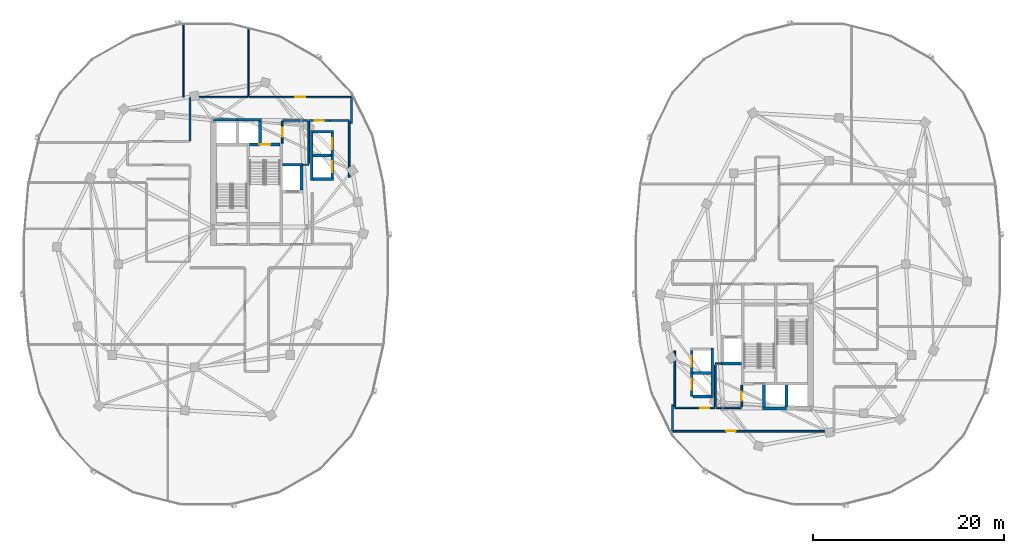
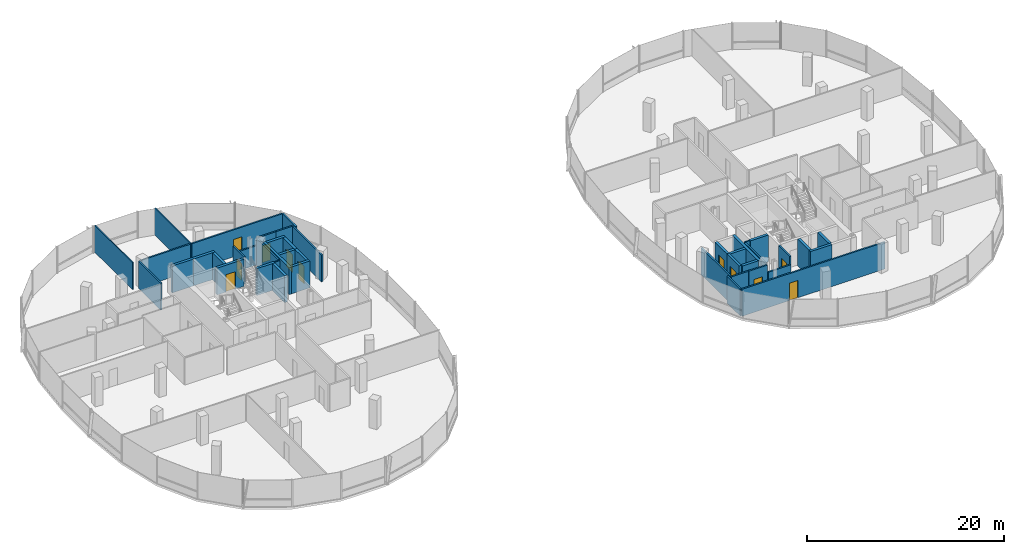
# One storey, part 16 of 25: 43 walls, 11 doors, 11 openings.
"""IFC4 building model written with IfcOpenShell, lengths in metres."""

from ifc_helpers import new_model, si_unit, direction, frame, frame_2d, origin, place, context, subcontext, project, spatial, rectangle, extrude, material, layer, layer_set, type_object, element, fill, save


model = new_model("IFC4")

# Units and contexts
model_context = context("Model", 3, precision=1e-05, world=origin(), true_north=direction((0.0, 1.0)))
body_context = subcontext(model_context, "Body", "Model", "MODEL_VIEW")
ifc_project = project(units=[si_unit("LENGTHUNIT", "METRE"), si_unit("AREAUNIT", "SQUARE_METRE"), si_unit("VOLUMEUNIT", "CUBIC_METRE"), si_unit("PLANEANGLEUNIT", "RADIAN"), si_unit("MASSUNIT", "GRAM", prefix="KILO"), si_unit("THERMODYNAMICTEMPERATUREUNIT", "KELVIN"), si_unit("POWERUNIT", "WATT")], contexts=[model_context])

# Site, building, storey
site_placement = place(None, origin())
site = spatial("IfcSite", under=ifc_project, at=site_placement, CompositionType="ELEMENT")
building_placement = place(site_placement, origin())
building = spatial("IfcBuilding", under=site, at=building_placement, Name="Cundina Bronze Exchange", CompositionType="ELEMENT")
storey_placement = place(building_placement, frame((0.0, 0.0, 209.800048828125)))
storey = spatial("IfcBuildingStorey", under=building, at=storey_placement, Name="L55", CompositionType="ELEMENT", Elevation=209.800048828125)

# Wall
ifc_material_1 = material(Name="Gypsum Fireboard Partition EI120")
ifc_layer_1 = layer(ifc_material_1, 0.179931640625, Name="Gypsum Fireboard Partition EI120")
ifc_layer_set_1 = layer_set([ifc_layer_1], Name="Gypsum Fireboard Partition EI120")
wall_type_1 = type_object("IfcWallType", Name="WL-COR-180", PredefinedType="PARTITIONING", material=ifc_layer_set_1)
wall_1_placement = place(storey_placement, frame((-17.02001953125, 9.070068359375, 0.0), z_axis=(0.0, 0.0, 1.0), x_axis=(0.0, 1.0, 0.0)))
element("IfcWall", 1, at=wall_1_placement, inside=storey, type_object=wall_type_1, Name="L55 Interior Partition 001", PredefinedType="PARTITIONING", context=body_context, shape_type="SweptSolid", body=[
    extrude(rectangle(XDim=5.85986328125, YDim=0.179931640625, at=frame_2d((2.929931640625, 0.0))), origin(), (0.0, 0.0, 1.0), 3.33984375),
])

# Wall, opening, door
wall_2_placement = place(storey_placement, frame((-21.22998046875, 15.030029296875, 0.0), z_axis=(0.0, 0.0, 1.0), x_axis=(1.0, 0.0, 0.0)))
wall_2 = element("IfcWall", 2, at=wall_2_placement, inside=storey, type_object=wall_type_1, Name="L55 Interior Partition 002", PredefinedType="PARTITIONING", context=body_context, shape_type="SweptSolid", body=[
    extrude(rectangle(XDim=2.159912109375, YDim=0.179931640625, at=frame_2d((1.080078125, 0.0))), origin(), (0.0, 0.0, 1.0), 3.33984375),
])
opening_1_placement = place(wall_2_placement, frame((0.60498046875, 0.0, 0.0)))
opening_1 = element("IfcOpeningElement", 3, at=opening_1_placement, cuts=wall_2, Name="Opening DW-01", PredefinedType="OPENING", context=body_context, shape_type="SweptSolid", body=[
    extrude(rectangle(XDim=0.949951171875, YDim=2.10009765625, at=frame_2d((0.47509765625, 1.050048828125))), frame((0.0, 0.099853515625, 0.0), z_axis=(0.0, -1.0, 0.0), x_axis=(1.0, 0.0, 0.0)), (0.0, 0.0, 1.0), 0.199951171875),
])
ifc_material_2 = material(Name="Solid Andean Oak Timber Grade A", Category="wood")
door_type_1 = type_object("IfcDoorType", Name="DR-WC-950", OperationType="NOTDEFINED", PredefinedType="DOOR", material=ifc_material_2)
door_1_placement = place(opening_1_placement, origin())
door_1 = element("IfcDoor", 4, at=door_1_placement, inside=storey, type_object=door_type_1, Name="L55 Interior Door 002", OperationType="SINGLE_SWING_LEFT", OverallHeight=2.10009765625, OverallWidth=0.949951171875, PredefinedType="DOOR", context=body_context, shape_type="SweptSolid", body=[
    extrude(rectangle(XDim=0.949951171875, YDim=2.10009765625, at=frame_2d((0.47509765625, 1.050048828125))), frame((0.0, 0.02490234375, 0.0), z_axis=(0.0, -1.0, 0.0), x_axis=(1.0, 0.0, 0.0)), (0.0, 0.0, 1.0), 0.050048828125),
])
fill(opening_1, door_1)

# Walls
wall_3_placement = place(storey_placement, frame((-19.030029296875, 15.030029296875, 0.0), z_axis=(0.0, 0.0, 1.0), x_axis=(1.0, 0.0, 0.0)))
element("IfcWall", 5, at=wall_3_placement, inside=storey, type_object=wall_type_1, Name="L55 Interior Partition 003", PredefinedType="PARTITIONING", context=body_context, shape_type="SweptSolid", body=[
    extrude(rectangle(XDim=1.989990234375, YDim=0.179931640625, at=frame_2d((0.9951171875, 0.0))), origin(), (0.0, 0.0, 1.0), 3.33984375),
])
wall_4_placement = place(storey_placement, frame((-21.25, 10.570068359375, 0.0), z_axis=(0.0, 0.0, 1.0), x_axis=(0.0, 1.0, 0.0)))
element("IfcWall", 6, at=wall_4_placement, inside=storey, type_object=wall_type_1, Name="L55 Interior Partition 005", PredefinedType="PARTITIONING", context=body_context, shape_type="SweptSolid", body=[
    extrude(rectangle(XDim=4.35986328125, YDim=0.179931640625, at=frame_2d((2.179931640625, 0.0))), origin(), (0.0, 0.0, 1.0), 3.33984375),
])
wall_5_placement = place(storey_placement, frame((-23.9599609375, 15.030029296875, 0.0), z_axis=(0.0, 0.0, 1.0), x_axis=(1.0, 0.0, 0.0)))
element("IfcWall", 7, at=wall_5_placement, inside=storey, type_object=wall_type_1, Name="L55 Interior Partition 006", PredefinedType="PARTITIONING", context=body_context, shape_type="SweptSolid", body=[
    extrude(rectangle(XDim=2.60986328125, YDim=0.179931640625, at=frame_2d((1.304931640625, 0.0))), origin(), (0.0, 0.0, 1.0), 2.412841796875),
])

# Wall, opening, door
wall_6_placement = place(storey_placement, frame((-24.02001953125, 12.669921875, 0.0), z_axis=(0.0, 0.0, 1.0), x_axis=(0.0, 1.0, 0.0)))
wall_6 = element("IfcWall", 8, at=wall_6_placement, inside=storey, type_object=wall_type_1, Name="L55 Interior Partition 008", PredefinedType="PARTITIONING", context=body_context, shape_type="SweptSolid", body=[
    extrude(rectangle(XDim=2.260009765625, YDim=0.179931640625, at=frame_2d((1.1298828125, 0.0))), origin(), (0.0, 0.0, 1.0), 3.33984375),
])
opening_2_placement = place(wall_6_placement, frame((0.655029296875, 0.0, 0.0)))
opening_2 = element("IfcOpeningElement", 9, at=opening_2_placement, cuts=wall_6, Name="Opening DW-01", PredefinedType="OPENING", context=body_context, shape_type="SweptSolid", body=[
    extrude(rectangle(XDim=0.949951171875, YDim=2.10009765625, at=frame_2d((0.47509765625, 1.050048828125))), frame((0.0, 0.099853515625, 0.0), z_axis=(0.0, -1.0, 0.0), x_axis=(1.0, 0.0, 0.0)), (0.0, 0.0, 1.0), 0.199951171875),
])
door_2_placement = place(opening_2_placement, origin())
door_2 = element("IfcDoor", 10, at=door_2_placement, inside=storey, type_object=door_type_1, Name="L55 Interior Door 008", OperationType="SINGLE_SWING_LEFT", OverallHeight=2.10009765625, OverallWidth=0.949951171875, PredefinedType="DOOR", context=body_context, shape_type="SweptSolid", body=[
    extrude(rectangle(XDim=0.949951171875, YDim=2.10009765625, at=frame_2d((0.47509765625, 1.050048828125))), frame((0.0, 0.02490234375, 0.0), z_axis=(0.0, -1.0, 0.0), x_axis=(1.0, 0.0, 0.0)), (0.0, 0.0, 1.0), 0.050048828125),
])
fill(opening_2, door_2)

wall_7_placement = place(storey_placement, frame((-16.821533203125, 17.469970703125, 0.0), z_axis=(0.0, 0.0, 1.0), x_axis=(-1.0, 0.0, 0.0)))
wall_7 = element("IfcWall", 11, at=wall_7_placement, inside=storey, type_object=wall_type_1, Name="L55 Interior Partition 029", PredefinedType="PARTITIONING", context=body_context, shape_type="SweptSolid", body=[
    extrude(rectangle(XDim=10.6484375, YDim=0.179931640625, at=frame_2d((5.32421875, 0.0))), origin(), (0.0, 0.0, 1.0), 3.33984375),
])
opening_3_placement = place(wall_7_placement, frame((4.82421875, 0.0, 0.0)))
opening_3 = element("IfcOpeningElement", 12, at=opening_3_placement, cuts=wall_7, Name="Opening DO-01", PredefinedType="OPENING", context=body_context, shape_type="SweptSolid", body=[
    extrude(rectangle(XDim=1.0, YDim=2.14990234375, at=frame_2d((0.5, 1.074951171875))), frame((0.0, 0.099853515625, 0.0), z_axis=(0.0, -1.0, 0.0), x_axis=(1.0, 0.0, 0.0)), (0.0, 0.0, 1.0), 0.199951171875),
])
door_type_2 = type_object("IfcDoorType", Name="DR-OFF-1000", OperationType="NOTDEFINED", PredefinedType="DOOR", material=ifc_material_2)
door_3_placement = place(opening_3_placement, origin())
door_3 = element("IfcDoor", 13, at=door_3_placement, inside=storey, type_object=door_type_2, Name="L55 Interior Door 029", OperationType="SINGLE_SWING_LEFT", OverallHeight=2.14990234375, OverallWidth=1.0, PredefinedType="DOOR", context=body_context, shape_type="SweptSolid", body=[
    extrude(rectangle(XDim=1.0, YDim=2.14990234375, at=frame_2d((0.5, 1.074951171875))), frame((0.0, 0.02490234375, 0.0), z_axis=(0.0, -1.0, 0.0), x_axis=(1.0, 0.0, 0.0)), (0.0, 0.0, 1.0), 0.050048828125),
])
fill(opening_3, door_3)

# Walls
wall_8_placement = place(storey_placement, frame((-16.780029296875, 14.721435546875, 0.0), z_axis=(0.0, 0.0, 1.0), x_axis=(0.0, 1.0, 0.0)))
element("IfcWall", 14, at=wall_8_placement, inside=storey, type_object=wall_type_1, Name="L55 Interior Partition 033", PredefinedType="PARTITIONING", context=body_context, shape_type="SweptSolid", body=[
    extrude(rectangle(XDim=2.70703125, YDim=0.179931640625, at=frame_2d((1.353515625, 0.0))), origin(), (0.0, 0.0, 1.0), 3.33984375),
])
wall_9_placement = place(storey_placement, frame((-27.64990234375, 17.469970703125, 0.0), z_axis=(0.0, 0.0, 1.0), x_axis=(-1.0, 0.0, 0.0)))
element("IfcWall", 15, at=wall_9_placement, inside=storey, type_object=wall_type_1, Name="L55 Interior Partition 039", PredefinedType="PARTITIONING", context=body_context, shape_type="SweptSolid", body=[
    extrude(rectangle(XDim=5.978515625, YDim=0.179931640625, at=frame_2d((2.9892578125, 0.0))), origin(), (0.0, 0.0, 1.0), 3.33984375),
])
wall_10_placement = place(storey_placement, frame((-33.669921875, 17.428466796875, 0.0), z_axis=(0.0, 0.0, 1.0), x_axis=(0.0, -1.0, 0.0)))
element("IfcWall", 16, at=wall_10_placement, inside=storey, type_object=wall_type_1, Name="L55 Interior Partition 040", PredefinedType="PARTITIONING", context=body_context, shape_type="SweptSolid", body=[
    extrude(rectangle(XDim=4.528564453125, YDim=0.179931640625, at=frame_2d((2.26416015625, 0.0))), origin(), (0.0, 0.0, 1.0), 3.33984375),
])
wall_11_placement = place(storey_placement, frame((17.02001953125, -14.929931640625, 0.0), z_axis=(0.0, 0.0, 1.0), x_axis=(0.0, 1.0, 0.0)))
element("IfcWall", 17, at=wall_11_placement, inside=storey, type_object=wall_type_1, Name="L55 Interior Partition 043", PredefinedType="PARTITIONING", context=body_context, shape_type="SweptSolid", body=[
    extrude(rectangle(XDim=5.85986328125, YDim=0.179931640625, at=frame_2d((2.929931640625, 0.0))), origin(), (0.0, 0.0, 1.0), 3.33984375),
])
wall_12_placement = place(storey_placement, frame((17.0400390625, -15.030029296875, 0.0), z_axis=(0.0, 0.0, 1.0), x_axis=(1.0, 0.0, 0.0)))
element("IfcWall", 18, at=wall_12_placement, inside=storey, type_object=wall_type_1, Name="L55 Interior Partition 044", PredefinedType="PARTITIONING", context=body_context, shape_type="SweptSolid", body=[
    extrude(rectangle(XDim=1.989990234375, YDim=0.179931640625, at=frame_2d((0.9951171875, 0.0))), origin(), (0.0, 0.0, 1.0), 3.33984375),
])

# Wall, opening, door
wall_13_placement = place(storey_placement, frame((21.22998046875, -15.030029296875, 0.0), z_axis=(0.0, 0.0, 1.0), x_axis=(-1.0, 0.0, 0.0)))
wall_13 = element("IfcWall", 19, at=wall_13_placement, inside=storey, type_object=wall_type_1, Name="L55 Interior Partition 045", PredefinedType="PARTITIONING", context=body_context, shape_type="SweptSolid", body=[
    extrude(rectangle(XDim=2.159912109375, YDim=0.179931640625, at=frame_2d((1.080078125, 0.0))), origin(), (0.0, 0.0, 1.0), 3.33984375),
])
opening_4_placement = place(wall_13_placement, frame((0.60498046875, 0.0, 0.0)))
opening_4 = element("IfcOpeningElement", 20, at=opening_4_placement, cuts=wall_13, Name="Opening DW-01", PredefinedType="OPENING", context=body_context, shape_type="SweptSolid", body=[
    extrude(rectangle(XDim=0.949951171875, YDim=2.10009765625, at=frame_2d((0.47509765625, 1.050048828125))), frame((0.0, 0.099853515625, 0.0), z_axis=(0.0, -1.0, 0.0), x_axis=(1.0, 0.0, 0.0)), (0.0, 0.0, 1.0), 0.199951171875),
])
door_4_placement = place(opening_4_placement, origin())
door_4 = element("IfcDoor", 21, at=door_4_placement, inside=storey, type_object=door_type_1, Name="L55 Interior Door 045", OperationType="SINGLE_SWING_RIGHT", OverallHeight=2.10009765625, OverallWidth=0.949951171875, PredefinedType="DOOR", context=body_context, shape_type="SweptSolid", body=[
    extrude(rectangle(XDim=0.949951171875, YDim=2.10009765625, at=frame_2d((0.47509765625, 1.050048828125))), frame((0.0, 0.02490234375, 0.0), z_axis=(0.0, -1.0, 0.0), x_axis=(1.0, 0.0, 0.0)), (0.0, 0.0, 1.0), 0.050048828125),
])
fill(opening_4, door_4)

# Walls
wall_14_placement = place(storey_placement, frame((21.25, -14.929931640625, 0.0), z_axis=(0.0, 0.0, 1.0), x_axis=(0.0, 1.0, 0.0)))
element("IfcWall", 22, at=wall_14_placement, inside=storey, type_object=wall_type_1, Name="L55 Interior Partition 047", PredefinedType="PARTITIONING", context=body_context, shape_type="SweptSolid", body=[
    extrude(rectangle(XDim=4.35986328125, YDim=0.179931640625, at=frame_2d((2.179931640625, 0.0))), origin(), (0.0, 0.0, 1.0), 3.33984375),
])
wall_15_placement = place(storey_placement, frame((21.35009765625, -15.030029296875, 0.0), z_axis=(0.0, 0.0, 1.0), x_axis=(1.0, 0.0, 0.0)))
element("IfcWall", 23, at=wall_15_placement, inside=storey, type_object=wall_type_1, Name="L55 Interior Partition 048", PredefinedType="PARTITIONING", context=body_context, shape_type="SweptSolid", body=[
    extrude(rectangle(XDim=2.60986328125, YDim=0.179931640625, at=frame_2d((1.304931640625, 0.0))), origin(), (0.0, 0.0, 1.0), 2.412841796875),
])

# Wall, opening, door
wall_16_placement = place(storey_placement, frame((24.02001953125, -14.929931640625, 0.0), z_axis=(0.0, 0.0, 1.0), x_axis=(0.0, 1.0, 0.0)))
wall_16 = element("IfcWall", 24, at=wall_16_placement, inside=storey, type_object=wall_type_1, Name="L55 Interior Partition 050", PredefinedType="PARTITIONING", context=body_context, shape_type="SweptSolid", body=[
    extrude(rectangle(XDim=2.260009765625, YDim=0.179931640625, at=frame_2d((1.1298828125, 0.0))), origin(), (0.0, 0.0, 1.0), 3.33984375),
])
opening_5_placement = place(wall_16_placement, frame((0.655029296875, 0.0, 0.0)))
opening_5 = element("IfcOpeningElement", 25, at=opening_5_placement, cuts=wall_16, Name="Opening DW-01", PredefinedType="OPENING", context=body_context, shape_type="SweptSolid", body=[
    extrude(rectangle(XDim=0.949951171875, YDim=2.10009765625, at=frame_2d((0.47509765625, 1.050048828125))), frame((0.0, 0.099853515625, 0.0), z_axis=(0.0, -1.0, 0.0), x_axis=(1.0, 0.0, 0.0)), (0.0, 0.0, 1.0), 0.199951171875),
])
door_5_placement = place(opening_5_placement, origin())
door_5 = element("IfcDoor", 26, at=door_5_placement, inside=storey, type_object=door_type_1, Name="L55 Interior Door 050", OperationType="SINGLE_SWING_RIGHT", OverallHeight=2.10009765625, OverallWidth=0.949951171875, PredefinedType="DOOR", context=body_context, shape_type="SweptSolid", body=[
    extrude(rectangle(XDim=0.949951171875, YDim=2.10009765625, at=frame_2d((0.47509765625, 1.050048828125))), frame((0.0, 0.02490234375, 0.0), z_axis=(0.0, -1.0, 0.0), x_axis=(1.0, 0.0, 0.0)), (0.0, 0.0, 1.0), 0.050048828125),
])
fill(opening_5, door_5)

wall_17_placement = place(storey_placement, frame((16.821533203125, -17.469970703125, 0.0), z_axis=(0.0, 0.0, 1.0), x_axis=(1.0, 0.0, 0.0)))
wall_17 = element("IfcWall", 27, at=wall_17_placement, inside=storey, type_object=wall_type_1, Name="L55 Interior Partition 064", PredefinedType="PARTITIONING", context=body_context, shape_type="SweptSolid", body=[
    extrude(rectangle(XDim=16.806884765625, YDim=0.179931640625, at=frame_2d((8.4033203125, 0.0))), origin(), (0.0, 0.0, 1.0), 3.33984375),
])
opening_6_placement = place(wall_17_placement, frame((5.568603515625, 0.0, 0.0)))
opening_6 = element("IfcOpeningElement", 28, at=opening_6_placement, cuts=wall_17, Name="Opening DO-01", PredefinedType="OPENING", context=body_context, shape_type="SweptSolid", body=[
    extrude(rectangle(XDim=1.0, YDim=2.14990234375, at=frame_2d((0.5, 1.074951171875))), frame((0.0, 0.099853515625, 0.0), z_axis=(0.0, -1.0, 0.0), x_axis=(1.0, 0.0, 0.0)), (0.0, 0.0, 1.0), 0.199951171875),
])
door_6_placement = place(opening_6_placement, origin())
door_6 = element("IfcDoor", 29, at=door_6_placement, inside=storey, type_object=door_type_2, Name="L55 Interior Door 064", OperationType="SINGLE_SWING_LEFT", OverallHeight=2.14990234375, OverallWidth=1.0, PredefinedType="DOOR", context=body_context, shape_type="SweptSolid", body=[
    extrude(rectangle(XDim=1.0, YDim=2.14990234375, at=frame_2d((0.5, 1.074951171875))), frame((0.0, 0.02490234375, 0.0), z_axis=(0.0, -1.0, 0.0), x_axis=(1.0, 0.0, 0.0)), (0.0, 0.0, 1.0), 0.050048828125),
])
fill(opening_6, door_6)

# Walls
wall_18_placement = place(storey_placement, frame((16.780029296875, -14.721435546875, 0.0), z_axis=(0.0, 0.0, 1.0), x_axis=(0.0, -1.0, 0.0)))
element("IfcWall", 30, at=wall_18_placement, inside=storey, type_object=wall_type_1, Name="L55 Interior Partition 070", PredefinedType="PARTITIONING", context=body_context, shape_type="SweptSolid", body=[
    extrude(rectangle(XDim=2.70703125, YDim=0.179931640625, at=frame_2d((1.353515625, 0.0))), origin(), (0.0, 0.0, 1.0), 3.33984375),
])
ifc_material_3 = material(Name="Gypsum Acoustic Partition EI60")
ifc_layer_2 = layer(ifc_material_3, 0.125, Name="Gypsum Acoustic Partition EI60")
ifc_layer_set_2 = layer_set([ifc_layer_2], Name="Gypsum Acoustic Partition EI60")
wall_type_2 = type_object("IfcWallType", Name="WL-OFF-125", PredefinedType="PARTITIONING", material=ifc_layer_set_2)
wall_19_placement = place(storey_placement, frame((-34.360107421875, 17.469970703125, 0.0), z_axis=(0.0, 0.0, 1.0), x_axis=(0.0, 1.0, 0.0)))
element("IfcWall", 31, at=wall_19_placement, inside=storey, type_object=wall_type_2, Name="L55 Interior Partition 022", PredefinedType="PARTITIONING", context=body_context, shape_type="SweptSolid", body=[
    extrude(rectangle(XDim=7.719970703125, YDim=0.125, at=frame_2d((3.85986328125, 0.0))), origin(), (0.0, 0.0, 1.0), 3.33984375),
])
wall_20_placement = place(storey_placement, frame((-27.56005859375, 17.5, 0.0), z_axis=(0.0, 0.0, 1.0), x_axis=(0.0, 1.0, 0.0)))
element("IfcWall", 32, at=wall_20_placement, inside=storey, type_object=wall_type_2, Name="L55 Interior Partition 023", PredefinedType="PARTITIONING", context=body_context, shape_type="SweptSolid", body=[
    extrude(rectangle(XDim=7.233154296875, YDim=0.125, at=frame_2d((3.61669921875, 0.0))), origin(), (0.0, 0.0, 1.0), 3.33984375),
])

# Wall, opening, door
ifc_material_4 = material(Name="Concrete C50/60", Category="concrete")
ifc_layer_3 = layer(ifc_material_4, 0.300048828125, Name="Concrete C50/60", Category="concrete")
ifc_layer_set_3 = layer_set([ifc_layer_3], Name="Concrete C50/60")
wall_type_3 = type_object("IfcWallType", Name="WL-SHFT-300", PredefinedType="SHEAR", material=ifc_layer_set_3)
wall_21_placement = place(storey_placement, frame((-27.43994140625, 12.5, 0.0), z_axis=(0.0, 0.0, 1.0), x_axis=(1.0, 0.0, 0.0)))
wall_21 = element("IfcWall", 33, at=wall_21_placement, inside=storey, type_object=wall_type_3, Name="L55 Stair W2 Landing Wall", PredefinedType="SHEAR", context=body_context, shape_type="SweptSolid", body=[
    extrude(rectangle(XDim=3.159912109375, YDim=0.300048828125, at=frame_2d((1.580078125, 0.0))), origin(), (0.0, 0.0, 1.0), 3.33984375),
])
opening_7_placement = place(wall_21_placement, frame((1.030029296875, 0.0, 0.0)))
opening_7 = element("IfcOpeningElement", 34, at=opening_7_placement, cuts=wall_21, Name="Opening DS-01", PredefinedType="OPENING", context=body_context, shape_type="SweptSolid", body=[
    extrude(rectangle(XDim=1.10009765625, YDim=2.14990234375, at=frame_2d((0.550048828125, 1.074951171875))), frame((0.0, 0.159912109375, 0.0), z_axis=(0.0, -1.0, 0.0), x_axis=(1.0, 0.0, 0.0)), (0.0, 0.0, 1.0), 0.320068359375),
])
ifc_material_5 = material(Name="Steel ASTM A36 Painted", Category="steel")
door_type_3 = type_object("IfcDoorType", Name="DR-STR-1100", OperationType="NOTDEFINED", PredefinedType="DOOR", material=ifc_material_5)
door_7_placement = place(opening_7_placement, origin())
door_7 = element("IfcDoor", 35, at=door_7_placement, inside=storey, type_object=door_type_3, Name="L55 Smokeproof Stair W2 Door", OperationType="SINGLE_SWING_LEFT", OverallHeight=2.14990234375, OverallWidth=1.10009765625, PredefinedType="DOOR", context=body_context, shape_type="SweptSolid", body=[
    extrude(rectangle(XDim=1.10009765625, YDim=2.14990234375, at=frame_2d((0.550048828125, 1.074951171875))), frame((0.0, 0.02490234375, 0.0), z_axis=(0.0, -1.0, 0.0), x_axis=(1.0, 0.0, 0.0)), (0.0, 0.0, 1.0), 0.050048828125),
])
fill(opening_7, door_7)

# Walls
wall_22_placement = place(storey_placement, frame((-23.97998046875, 10.39990234375, 0.0), z_axis=(0.0, 0.0, 1.0), x_axis=(1.0, 0.0, 0.0)))
element("IfcWall", 36, at=wall_22_placement, inside=storey, type_object=wall_type_3, Name="L55 FFL-W Hoistway Back Wall", PredefinedType="SHEAR", context=body_context, shape_type="SweptSolid", body=[
    extrude(rectangle(XDim=2.10009765625, YDim=0.300048828125, at=frame_2d((1.050048828125, 0.0))), origin(), (0.0, 0.0, 1.0), 3.33984375),
])
for number, where, z_axis, x_axis, name in (
    (37, (-22.030029296875, 7.75, 0.0), (0.0, 0.0, 1.0), (0.0, 1.0, 0.0), "L55 FFL-W Hoistway Side Wall"),
    (38, (-31.199951171875, 15.10009765625, 0.0), (0.0, 0.0, 1.0), (1.0, 0.0, 0.0), "L55 PH-W1 Hoistway Front Wall"),
    (39, (-28.699951171875, 15.10009765625, 0.0), (0.0, 0.0, 1.0), (1.0, 0.0, 0.0), "L55 PH-W2 Hoistway Front Wall"),
):
    element("IfcWall", number, at=place(storey_placement, frame(where, z_axis=z_axis, x_axis=x_axis)), inside=storey, type_object=wall_type_3, Name=name, PredefinedType="SHEAR", context=body_context, shape_type="SweptSolid", body=[
        extrude(rectangle(XDim=2.5, YDim=0.300048828125, at=frame_2d((1.25, 0.0))), origin(), (0.0, 0.0, 1.0), 3.33984375),
    ])
wall_23_placement = place(storey_placement, frame((-26.35009765625, 12.64990234375, 0.0), z_axis=(0.0, 0.0, 1.0), x_axis=(0.0, 1.0, 0.0)))
element("IfcWall", 40, at=wall_23_placement, inside=storey, type_object=wall_type_3, Name="L55 PH-W2 Hoistway Divider Wall", PredefinedType="SHEAR", context=body_context, shape_type="SweptSolid", body=[
    extrude(rectangle(XDim=2.300048828125, YDim=0.300048828125, at=frame_2d((1.14990234375, 0.0))), origin(), (0.0, 0.0, 1.0), 3.33984375),
])
wall_24_placement = place(storey_placement, frame((-20.949951171875, 8.75, 0.0), z_axis=(0.0, 0.0, 1.0), x_axis=(0.0, 1.0, 0.0)))
element("IfcWall", 41, at=wall_24_placement, inside=storey, type_object=wall_type_3, Name="L55 W Passenger Bank Hoistway Back Wall", PredefinedType="SHEAR", context=body_context, shape_type="SweptSolid", body=[
    extrude(rectangle(XDim=5.25, YDim=0.300048828125, at=frame_2d((2.625, 0.0))), origin(), (0.0, 0.0, 1.0), 3.33984375),
])
for number, where, z_axis, x_axis, name in (
    (42, (-20.800048828125, 8.89990234375, 0.0), (0.0, 0.0, 1.0), (1.0, 0.0, 0.0), "L55 W Passenger Bank South Cap Wall"),
    (43, (-20.800048828125, 13.85009765625, 0.0), (0.0, 0.0, 1.0), (1.0, 0.0, 0.0), "L55 W Passenger Bank North Cap Wall"),
):
    element("IfcWall", number, at=place(storey_placement, frame(where, z_axis=z_axis, x_axis=x_axis)), inside=storey, type_object=wall_type_3, Name=name, PredefinedType="SHEAR", context=body_context, shape_type="SweptSolid", body=[
        extrude(rectangle(XDim=2.150146484375, YDim=0.300048828125, at=frame_2d((1.0751953125, 0.0))), origin(), (0.0, 0.0, 1.0), 3.33984375),
    ])
wall_25_placement = place(storey_placement, frame((-20.800048828125, 11.375, 0.0), z_axis=(0.0, 0.0, 1.0), x_axis=(1.0, 0.0, 0.0)))
element("IfcWall", 44, at=wall_25_placement, inside=storey, type_object=wall_type_3, Name="L55 W Passenger Hoistway Divider 1", PredefinedType="SHEAR", context=body_context, shape_type="SweptSolid", body=[
    extrude(rectangle(XDim=1.85009765625, YDim=0.300048828125, at=frame_2d((0.925048828125, 0.0))), origin(), (0.0, 0.0, 1.0), 3.33984375),
])

# Wall, opening, door
wall_26_placement = place(storey_placement, frame((-18.800048828125, 8.929931640625, 0.0), z_axis=(0.0, 0.0, 1.0), x_axis=(0.0, 1.0, 0.0)))
wall_26 = element("IfcWall", 45, at=wall_26_placement, inside=storey, type_object=wall_type_3, Name="L55 PM-W2 Hoistway Front Wall", PredefinedType="SHEAR", context=body_context, shape_type="SweptSolid", body=[
    extrude(rectangle(XDim=2.489990234375, YDim=0.300048828125, at=frame_2d((1.2451171875, 0.0))), origin(), (0.0, 0.0, 1.0), 3.33984375),
])
opening_8_placement = place(wall_26_placement, frame((0.669921875, 0.0, 0.0)))
opening_8 = element("IfcOpeningElement", 46, at=opening_8_placement, cuts=wall_26, Name="Opening LD-01", PredefinedType="OPENING", context=body_context, shape_type="SweptSolid", body=[
    extrude(rectangle(XDim=1.14990234375, YDim=2.199951171875, at=frame_2d((0.574951171875, 1.10009765625))), frame((0.0, 0.159912109375, 0.0), z_axis=(0.0, -1.0, 0.0), x_axis=(1.0, 0.0, 0.0)), (0.0, 0.0, 1.0), 0.320068359375),
])
door_type_4 = type_object("IfcDoorType", Name="DR-LND-1150", OperationType="NOTDEFINED", PredefinedType="TRAPDOOR", material=ifc_material_5)
door_8_placement = place(opening_8_placement, origin())
door_8 = element("IfcDoor", 47, at=door_8_placement, inside=storey, type_object=door_type_4, Name="L55 PM-W2 Sliding Landing Door", OperationType="SLIDING_TO_LEFT", OverallHeight=2.199951171875, OverallWidth=1.14990234375, PredefinedType="TRAPDOOR", context=body_context, shape_type="SweptSolid", body=[
    extrude(rectangle(XDim=1.14990234375, YDim=2.199951171875, at=frame_2d((0.574951171875, 1.10009765625))), frame((0.0, 0.02490234375, 0.0), z_axis=(0.0, -1.0, 0.0), x_axis=(1.0, 0.0, 0.0)), (0.0, 0.0, 1.0), 0.050048828125),
])
fill(opening_8, door_8)

wall_27_placement = place(storey_placement, frame((-18.800048828125, 11.330078125, 0.0), z_axis=(0.0, 0.0, 1.0), x_axis=(0.0, 1.0, 0.0)))
wall_27 = element("IfcWall", 48, at=wall_27_placement, inside=storey, type_object=wall_type_3, Name="L55 PM-W1 Hoistway Front Wall", PredefinedType="SHEAR", context=body_context, shape_type="SweptSolid", body=[
    extrude(rectangle(XDim=2.489990234375, YDim=0.300048828125, at=frame_2d((1.2451171875, 0.0))), origin(), (0.0, 0.0, 1.0), 3.33984375),
])
opening_9_placement = place(wall_27_placement, frame((0.669921875, 0.0, 0.0)))
opening_9 = element("IfcOpeningElement", 49, at=opening_9_placement, cuts=wall_27, Name="Opening LD-01", PredefinedType="OPENING", context=body_context, shape_type="SweptSolid", body=[
    extrude(rectangle(XDim=1.14990234375, YDim=2.199951171875, at=frame_2d((0.574951171875, 1.10009765625))), frame((0.0, 0.159912109375, 0.0), z_axis=(0.0, -1.0, 0.0), x_axis=(1.0, 0.0, 0.0)), (0.0, 0.0, 1.0), 0.320068359375),
])
door_9_placement = place(opening_9_placement, origin())
door_9 = element("IfcDoor", 50, at=door_9_placement, inside=storey, type_object=door_type_4, Name="L55 PM-W1 Sliding Landing Door", OperationType="SLIDING_TO_LEFT", OverallHeight=2.199951171875, OverallWidth=1.14990234375, PredefinedType="TRAPDOOR", context=body_context, shape_type="SweptSolid", body=[
    extrude(rectangle(XDim=1.14990234375, YDim=2.199951171875, at=frame_2d((0.574951171875, 1.10009765625))), frame((0.0, 0.02490234375, 0.0), z_axis=(0.0, -1.0, 0.0), x_axis=(1.0, 0.0, 0.0)), (0.0, 0.0, 1.0), 0.050048828125),
])
fill(opening_9, door_9)

# Walls
wall_28_placement = place(storey_placement, frame((21.8798828125, -10.39990234375, 0.0), z_axis=(0.0, 0.0, 1.0), x_axis=(1.0, 0.0, 0.0)))
element("IfcWall", 51, at=wall_28_placement, inside=storey, type_object=wall_type_3, Name="L55 FFL-E Hoistway Back Wall", PredefinedType="SHEAR", context=body_context, shape_type="SweptSolid", body=[
    extrude(rectangle(XDim=2.10009765625, YDim=0.300048828125, at=frame_2d((1.050048828125, 0.0))), origin(), (0.0, 0.0, 1.0), 3.33984375),
])
wall_29_placement = place(storey_placement, frame((28.699951171875, -14.949951171875, 0.0), z_axis=(0.0, 0.0, 1.0), x_axis=(0.0, 1.0, 0.0)))
element("IfcWall", 52, at=wall_29_placement, inside=storey, type_object=wall_type_3, Name="L55 PH-E1 Hoistway Divider Wall", PredefinedType="SHEAR", context=body_context, shape_type="SweptSolid", body=[
    extrude(rectangle(XDim=2.300048828125, YDim=0.300048828125, at=frame_2d((1.14990234375, 0.0))), origin(), (0.0, 0.0, 1.0), 3.33984375),
])
wall_30_placement = place(storey_placement, frame((26.199951171875, -15.10009765625, 0.0), z_axis=(0.0, 0.0, 1.0), x_axis=(1.0, 0.0, 0.0)))
element("IfcWall", 53, at=wall_30_placement, inside=storey, type_object=wall_type_3, Name="L55 PH-E2 Hoistway Front Wall", PredefinedType="SHEAR", context=body_context, shape_type="SweptSolid", body=[
    extrude(rectangle(XDim=2.5, YDim=0.300048828125, at=frame_2d((1.25, 0.0))), origin(), (0.0, 0.0, 1.0), 3.33984375),
])
wall_31_placement = place(storey_placement, frame((26.35009765625, -14.949951171875, 0.0), z_axis=(0.0, 0.0, 1.0), x_axis=(0.0, 1.0, 0.0)))
element("IfcWall", 54, at=wall_31_placement, inside=storey, type_object=wall_type_3, Name="L55 PH-E2 Hoistway Divider Wall", PredefinedType="SHEAR", context=body_context, shape_type="SweptSolid", body=[
    extrude(rectangle(XDim=2.300048828125, YDim=0.300048828125, at=frame_2d((1.14990234375, 0.0))), origin(), (0.0, 0.0, 1.0), 3.33984375),
])
wall_32_placement = place(storey_placement, frame((20.949951171875, -14.0, 0.0), z_axis=(0.0, 0.0, 1.0), x_axis=(0.0, 1.0, 0.0)))
element("IfcWall", 55, at=wall_32_placement, inside=storey, type_object=wall_type_3, Name="L55 E Passenger Bank Hoistway Back Wall", PredefinedType="SHEAR", context=body_context, shape_type="SweptSolid", body=[
    extrude(rectangle(XDim=5.25, YDim=0.300048828125, at=frame_2d((2.625, 0.0))), origin(), (0.0, 0.0, 1.0), 3.33984375),
])
for number, where, z_axis, x_axis, name in (
    (56, (18.949951171875, -13.85009765625, 0.0), (0.0, 0.0, 1.0), (1.0, 0.0, 0.0), "L55 E Passenger Bank South Cap Wall"),
    (57, (18.949951171875, -11.375, 0.0), (0.0, 0.0, 1.0), (1.0, 0.0, 0.0), "L55 E Passenger Hoistway Divider 1"),
):
    element("IfcWall", number, at=place(storey_placement, frame(where, z_axis=z_axis, x_axis=x_axis)), inside=storey, type_object=wall_type_3, Name=name, PredefinedType="SHEAR", context=body_context, shape_type="SweptSolid", body=[
        extrude(rectangle(XDim=1.85009765625, YDim=0.300048828125, at=frame_2d((0.925048828125, 0.0))), origin(), (0.0, 0.0, 1.0), 3.33984375),
    ])

# Wall, opening, door
wall_33_placement = place(storey_placement, frame((18.800048828125, -13.820068359375, 0.0), z_axis=(0.0, 0.0, 1.0), x_axis=(0.0, 1.0, 0.0)))
wall_33 = element("IfcWall", 58, at=wall_33_placement, inside=storey, type_object=wall_type_3, Name="L55 PM-E1 Hoistway Front Wall", PredefinedType="SHEAR", context=body_context, shape_type="SweptSolid", body=[
    extrude(rectangle(XDim=2.489990234375, YDim=0.300048828125, at=frame_2d((1.2451171875, 0.0))), origin(), (0.0, 0.0, 1.0), 3.33984375),
])
opening_10_placement = place(wall_33_placement, frame((0.669921875, 0.0, 0.0)))
opening_10 = element("IfcOpeningElement", 59, at=opening_10_placement, cuts=wall_33, Name="Opening LD-01", PredefinedType="OPENING", context=body_context, shape_type="SweptSolid", body=[
    extrude(rectangle(XDim=1.14990234375, YDim=2.199951171875, at=frame_2d((0.574951171875, 1.10009765625))), frame((0.0, 0.159912109375, 0.0), z_axis=(0.0, -1.0, 0.0), x_axis=(1.0, 0.0, 0.0)), (0.0, 0.0, 1.0), 0.320068359375),
])
door_10_placement = place(opening_10_placement, origin())
door_10 = element("IfcDoor", 60, at=door_10_placement, inside=storey, type_object=door_type_4, Name="L55 PM-E1 Sliding Landing Door", OperationType="SLIDING_TO_LEFT", OverallHeight=2.199951171875, OverallWidth=1.14990234375, PredefinedType="TRAPDOOR", context=body_context, shape_type="SweptSolid", body=[
    extrude(rectangle(XDim=1.14990234375, YDim=2.199951171875, at=frame_2d((0.574951171875, 1.10009765625))), frame((0.0, 0.02490234375, 0.0), z_axis=(0.0, -1.0, 0.0), x_axis=(1.0, 0.0, 0.0)), (0.0, 0.0, 1.0), 0.050048828125),
])
fill(opening_10, door_10)

wall_34_placement = place(storey_placement, frame((18.800048828125, -11.419921875, 0.0), z_axis=(0.0, 0.0, 1.0), x_axis=(0.0, 1.0, 0.0)))
wall_34 = element("IfcWall", 61, at=wall_34_placement, inside=storey, type_object=wall_type_3, Name="L55 PM-E2 Hoistway Front Wall", PredefinedType="SHEAR", context=body_context, shape_type="SweptSolid", body=[
    extrude(rectangle(XDim=2.489990234375, YDim=0.300048828125, at=frame_2d((1.2451171875, 0.0))), origin(), (0.0, 0.0, 1.0), 3.33984375),
])
opening_11_placement = place(wall_34_placement, frame((0.669921875, 0.0, 0.0)))
opening_11 = element("IfcOpeningElement", 62, at=opening_11_placement, cuts=wall_34, Name="Opening LD-01", PredefinedType="OPENING", context=body_context, shape_type="SweptSolid", body=[
    extrude(rectangle(XDim=1.14990234375, YDim=2.199951171875, at=frame_2d((0.574951171875, 1.10009765625))), frame((0.0, 0.159912109375, 0.0), z_axis=(0.0, -1.0, 0.0), x_axis=(1.0, 0.0, 0.0)), (0.0, 0.0, 1.0), 0.320068359375),
])
door_11_placement = place(opening_11_placement, origin())
door_11 = element("IfcDoor", 63, at=door_11_placement, inside=storey, type_object=door_type_4, Name="L55 PM-E2 Sliding Landing Door", OperationType="SLIDING_TO_LEFT", OverallHeight=2.199951171875, OverallWidth=1.14990234375, PredefinedType="TRAPDOOR", context=body_context, shape_type="SweptSolid", body=[
    extrude(rectangle(XDim=1.14990234375, YDim=2.199951171875, at=frame_2d((0.574951171875, 1.10009765625))), frame((0.0, 0.02490234375, 0.0), z_axis=(0.0, -1.0, 0.0), x_axis=(1.0, 0.0, 0.0)), (0.0, 0.0, 1.0), 0.050048828125),
])
fill(opening_11, door_11)

# Walls
ifc_material_6 = material(Name="Moisture-Resistant Masonry Block Grade M15", Category="masonry")
ifc_layer_4 = layer(ifc_material_6, 0.139892578125, Name="Moisture-Resistant Masonry Block Grade M15", Category="masonry")
ifc_layer_set_4 = layer_set([ifc_layer_4], Name="Moisture-Resistant Masonry Block Grade M15")
wall_type_4 = type_object("IfcWallType", Name="WL-WET-140", PredefinedType="PARTITIONING", material=ifc_layer_set_4)
for number, where, z_axis, x_axis, name in (
    (64, (-21.860107421875, 10.39990234375, 0.0), (0.0, 0.0, 1.0), (1.0, 0.0, 0.0), "L55 Interior Partition 004"),
    (65, (21.27001953125, -10.39990234375, 0.0), (0.0, 0.0, 1.0), (1.0, 0.0, 0.0), "L55 Interior Partition 046"),
):
    element("IfcWall", number, at=place(storey_placement, frame(where, z_axis=z_axis, x_axis=x_axis)), inside=storey, type_object=wall_type_4, Name=name, PredefinedType="PARTITIONING", context=body_context, shape_type="SweptSolid", body=[
        extrude(rectangle(XDim=0.590087890625, YDim=0.139892578125, at=frame_2d((0.294921875, 0.0))), origin(), (0.0, 0.0, 1.0), 3.33984375),
    ])

save(model, "model.ifc")
